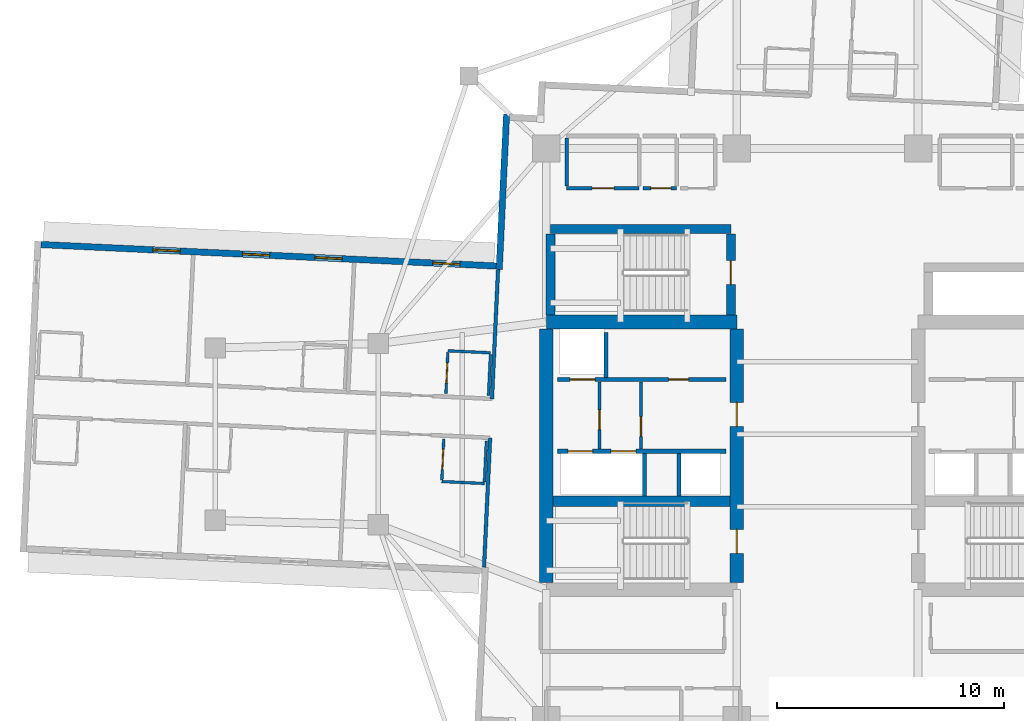
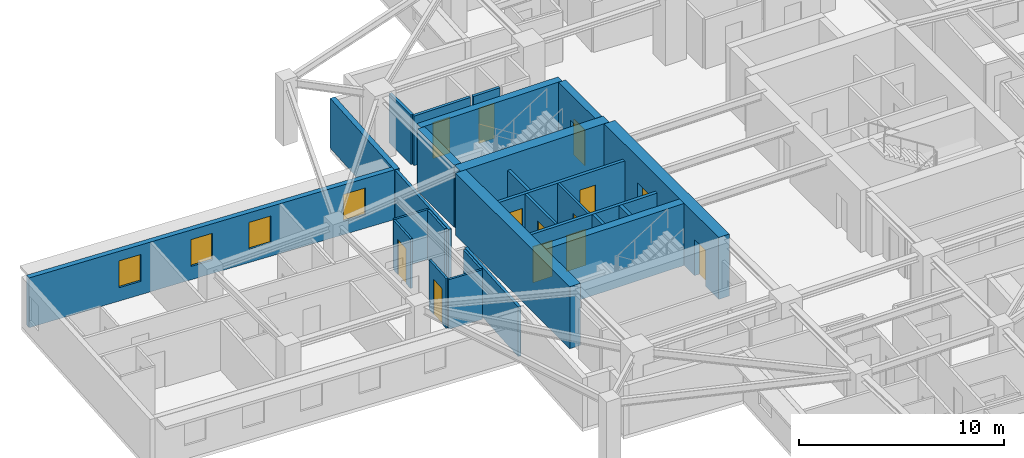
# One storey, part 6 of 14: 27 walls, 13 doors, 4 windows, 17 openings.
"""IFC4 building model written with IfcOpenShell, lengths in metres."""

from ifc_helpers import new_model, si_unit, direction, frame, frame_2d, origin, place, context, subcontext, project, spatial, rectangle, extrude, material, layer, layer_set, type_object, element, fill, save


model = new_model("IFC4")

# Units and contexts
model_context = context("Model", 3, precision=1e-05, world=origin(), true_north=direction((0.0, 1.0)))
body_context = subcontext(model_context, "Body", "Model", "MODEL_VIEW")
ifc_project = project(units=[si_unit("LENGTHUNIT", "METRE"), si_unit("AREAUNIT", "SQUARE_METRE"), si_unit("VOLUMEUNIT", "CUBIC_METRE"), si_unit("PLANEANGLEUNIT", "RADIAN"), si_unit("MASSUNIT", "GRAM", prefix="KILO")], contexts=[model_context])

# Site, building, storey
site_placement = place(None, origin())
site = spatial("IfcSite", under=ifc_project, at=site_placement, CompositionType="ELEMENT")
building_placement = place(site_placement, origin())
building = spatial("IfcBuilding", under=site, at=building_placement, Name="Qingluan Cross Belvedere", CompositionType="ELEMENT")
storey_placement = place(building_placement, frame((0.0, 0.0, 172.199951171875)))
storey = spatial("IfcBuildingStorey", under=building, at=storey_placement, Name="L43", CompositionType="ELEMENT", Elevation=172.199951171875)

# Walls
ifc_material_1 = material(Name="Concrete C50", Category="concrete")
ifc_layer_1 = layer(ifc_material_1, 0.449951171875, Name="CoreShearWall_450")
ifc_layer_set_1 = layer_set([ifc_layer_1], Name="Concrete C50")
wall_type_1 = type_object("IfcWallType", Name="CoreShearWall_450", PredefinedType="SHEAR", material=ifc_layer_set_1)
wall_1_placement = place(storey_placement, frame((-12.094970703125, -2.9599609375, 0.0), z_axis=(0.0, 0.0, 1.0), x_axis=(1.0, 0.0, 0.0)))
element("IfcWall", 1, at=wall_1_placement, inside=storey, type_object=wall_type_1, Name="Split core W shear wall L43-M", PredefinedType="SHEAR", context=body_context, shape_type="SweptSolid", body=[
    extrude(rectangle(XDim=7.7900390625, YDim=0.449951171875, at=frame_2d((3.89501953125, 0.0))), origin(), (0.0, 0.0, 1.0), 3.699951171875),
])
wall_2_placement = place(storey_placement, frame((-12.219970703125, 9.0400390625, 0.0), z_axis=(0.0, 0.0, 1.0), x_axis=(1.0, 0.0, 0.0)))
element("IfcWall", 2, at=wall_2_placement, inside=storey, type_object=wall_type_1, Name="Stair ST3 structural wall N L43", PredefinedType="SHEAR", context=body_context, shape_type="SweptSolid", body=[
    extrude(rectangle(XDim=7.9599609375, YDim=0.39990234375, at=frame_2d((3.97998046875, 0.0))), origin(), (0.0, 0.0, 1.0), 3.699951171875),
])
wall_3_placement = place(storey_placement, frame((-12.219970703125, 5.2548828125, 0.0), z_axis=(0.0, 0.0, 1.0), x_axis=(0.0, 1.0, 0.0)))
element("IfcWall", 3, at=wall_3_placement, inside=storey, type_object=wall_type_1, Name="Stair ST3 structural wall W L43", PredefinedType="SHEAR", context=body_context, shape_type="SweptSolid", body=[
    extrude(rectangle(XDim=3.580078125, YDim=0.39990234375, at=frame_2d((1.7900390625, 0.0))), origin(), (0.0, 0.0, 1.0), 3.699951171875),
])

# Wall, opening, door
wall_4_placement = place(storey_placement, frame((-4.260009765625, 5.2548828125, 0.0), z_axis=(0.0, 0.0, 1.0), x_axis=(0.0, 1.0, 0.0)))
wall_4 = element("IfcWall", 4, at=wall_4_placement, inside=storey, type_object=wall_type_1, Name="Stair ST3 structural wall E L43", PredefinedType="SHEAR", context=body_context, shape_type="SweptSolid", body=[
    extrude(rectangle(XDim=3.580078125, YDim=0.39990234375, at=frame_2d((1.7900390625, 0.0))), origin(), (0.0, 0.0, 1.0), 3.699951171875),
])
opening_1_placement = place(wall_4_placement, frame((1.344970703125, 0.0, 0.0)))
opening_1 = element("IfcOpeningElement", 5, at=opening_1_placement, cuts=wall_4, Name="Opening FD-B11", PredefinedType="OPENING", context=body_context, shape_type="SweptSolid", body=[
    extrude(rectangle(XDim=1.050048828125, YDim=2.14990234375, at=frame_2d((0.52490234375, 1.074951171875))), frame((0.0, 0.2099609375, 0.0), z_axis=(0.0, -1.0, 0.0), x_axis=(1.0, 0.0, 0.0)), (0.0, 0.0, 1.0), 0.419921875),
])
ifc_material_2 = material(Name="Steel Class B smoke-seal fire door", Category="steel")
door_type_1 = type_object("IfcDoorType", Name="StairLobbyFireDoor_FDB", OperationType="NOTDEFINED", PredefinedType="DOOR", material=ifc_material_2)
door_1_placement = place(opening_1_placement, origin())
door_1 = element("IfcDoor", 6, at=door_1_placement, inside=storey, type_object=door_type_1, Name="Smoke-proof stair ST3 fire door L43", OperationType="SINGLE_SWING_LEFT", OverallHeight=2.14990234375, OverallWidth=1.050048828125, PredefinedType="DOOR", context=body_context, shape_type="SweptSolid", body=[
    extrude(rectangle(XDim=1.050048828125, YDim=2.14990234375, at=frame_2d((0.52490234375, 1.074951171875))), frame((0.0, 0.02490234375, 0.0), z_axis=(0.0, -1.0, 0.0), x_axis=(1.0, 0.0, 0.0)), (0.0, 0.0, 1.0), 0.050048828125),
])
fill(opening_1, door_1)

# Walls
ifc_material_3 = material(Name="Concrete C60", Category="concrete")
ifc_layer_2 = layer(ifc_material_3, 0.60009765625, Name="CoreShearWall_600")
ifc_layer_set_2 = layer_set([ifc_layer_2], Name="Concrete C60")
wall_type_2 = type_object("IfcWallType", Name="CoreShearWall_600", PredefinedType="SHEAR", material=ifc_layer_set_2)
wall_5_placement = place(storey_placement, frame((-12.39990234375, 4.949951171875, 0.0), z_axis=(0.0, 0.0, 1.0), x_axis=(1.0, 0.0, 0.0)))
element("IfcWall", 7, at=wall_5_placement, inside=storey, type_object=wall_type_2, Name="Split core W shear wall L43-N", PredefinedType="SHEAR", context=body_context, shape_type="SweptSolid", body=[
    extrude(rectangle(XDim=8.39990234375, YDim=0.60009765625, at=frame_2d((4.199951171875, 0.0))), origin(), (0.0, 0.0, 1.0), 3.699951171875),
])
wall_6_placement = place(storey_placement, frame((-12.39990234375, -6.544921875, 0.0), z_axis=(0.0, 0.0, 1.0), x_axis=(0.0, 1.0, 0.0)))
element("IfcWall", 8, at=wall_6_placement, inside=storey, type_object=wall_type_2, Name="Split core W shear wall L43-W", PredefinedType="SHEAR", context=body_context, shape_type="SweptSolid", body=[
    extrude(rectangle(XDim=11.18994140625, YDim=0.60009765625, at=frame_2d((5.594970703125, 0.0))), origin(), (0.0, 0.0, 1.0), 3.699951171875),
])

# Wall, openings, doors
wall_7_placement = place(storey_placement, frame((-4.0, -6.544921875, 0.0), z_axis=(0.0, 0.0, 1.0), x_axis=(0.0, 1.0, 0.0)))
wall_7 = element("IfcWall", 9, at=wall_7_placement, inside=storey, type_object=wall_type_2, Name="Split core W shear wall L43-E", PredefinedType="SHEAR", context=body_context, shape_type="SweptSolid", body=[
    extrude(rectangle(XDim=11.18994140625, YDim=0.60009765625, at=frame_2d((5.594970703125, 0.0))), origin(), (0.0, 0.0, 1.0), 3.699951171875),
])
opening_2_placement = place(wall_7_placement, frame((1.294921875, 0.0, 0.0)))
opening_2 = element("IfcOpeningElement", 10, at=opening_2_placement, cuts=wall_7, Name="Opening FD-B11", PredefinedType="OPENING", context=body_context, shape_type="SweptSolid", body=[
    extrude(rectangle(XDim=1.050048828125, YDim=2.14990234375, at=frame_2d((0.52490234375, 1.074951171875))), frame((0.0, 0.31005859375, 0.0), z_axis=(0.0, -1.0, 0.0), x_axis=(1.0, 0.0, 0.0)), (0.0, 0.0, 1.0), 0.6201171875),
])
opening_3_placement = place(wall_7_placement, frame((6.89501953125, 0.0, 0.0)))
opening_3 = element("IfcOpeningElement", 11, at=opening_3_placement, cuts=wall_7, Name="Opening FD-B11", PredefinedType="OPENING", context=body_context, shape_type="SweptSolid", body=[
    extrude(rectangle(XDim=1.050048828125, YDim=2.14990234375, at=frame_2d((0.52490234375, 1.074951171875))), frame((0.0, 0.31005859375, 0.0), z_axis=(0.0, -1.0, 0.0), x_axis=(1.0, 0.0, 0.0)), (0.0, 0.0, 1.0), 0.6201171875),
])
door_2_placement = place(opening_2_placement, origin())
door_2 = element("IfcDoor", 12, at=door_2_placement, inside=storey, type_object=door_type_1, Name="Smoke-proof stair ST1 fire door L43", OperationType="SINGLE_SWING_LEFT", OverallHeight=2.14990234375, OverallWidth=1.050048828125, PredefinedType="DOOR", context=body_context, shape_type="SweptSolid", body=[
    extrude(rectangle(XDim=1.050048828125, YDim=2.14990234375, at=frame_2d((0.52490234375, 1.074951171875))), frame((0.0, 0.02490234375, 0.0), z_axis=(0.0, -1.0, 0.0), x_axis=(1.0, 0.0, 0.0)), (0.0, 0.0, 1.0), 0.050048828125),
])
fill(opening_2, door_2)
door_3_placement = place(opening_3_placement, origin())
door_3 = element("IfcDoor", 13, at=door_3_placement, inside=storey, type_object=door_type_1, Name="Firefighting lobby West fire door L43", OperationType="SINGLE_SWING_LEFT", OverallHeight=2.14990234375, OverallWidth=1.050048828125, PredefinedType="DOOR", context=body_context, shape_type="SweptSolid", body=[
    extrude(rectangle(XDim=1.050048828125, YDim=2.14990234375, at=frame_2d((0.52490234375, 1.074951171875))), frame((0.0, 0.02490234375, 0.0), z_axis=(0.0, -1.0, 0.0), x_axis=(1.0, 0.0, 0.0)), (0.0, 0.0, 1.0), 0.050048828125),
])
fill(opening_3, door_3)

# Wall, opening, door
ifc_material_4 = material(Name="Gypsum plasterboard on steel stud acoustic partition", Category="steel")
ifc_layer_3 = layer(ifc_material_4, 0.159912109375, Name="CorridorPartition_160")
ifc_layer_set_3 = layer_set([ifc_layer_3], Name="Gypsum plasterboard on steel stud acoustic partition")
wall_type_3 = type_object("IfcWallType", Name="CorridorPartition_160", PredefinedType="PARTITIONING", material=ifc_layer_set_3)
wall_8_placement = place(storey_placement, frame((-10.050048828125, -0.652099609375, 0.0), z_axis=(0.0, 0.0, 1.0), x_axis=(0.0, 1.0, 0.0)))
wall_8 = element("IfcWall", 14, at=wall_8_placement, inside=storey, type_object=wall_type_3, Name="Partition L43:wv", PredefinedType="PARTITIONING", context=body_context, shape_type="SweptSolid", body=[
    extrude(rectangle(XDim=2.962158203125, YDim=0.139892578125, at=frame_2d((1.48095703125, 0.0))), origin(), (0.0, 0.0, 1.0), 2.9599609375),
])
opening_4_placement = place(wall_8_placement, frame((0.85009765625, 0.0, 0.0)))
opening_4 = element("IfcOpeningElement", 15, at=opening_4_placement, cuts=wall_8, Name="Opening FD-B10", PredefinedType="OPENING", context=body_context, shape_type="SweptSolid", body=[
    extrude(rectangle(XDim=0.8798828125, YDim=2.10009765625, at=frame_2d((0.43994140625, 1.050048828125))), frame((0.0, 0.079833984375, 0.0), z_axis=(0.0, -1.0, 0.0), x_axis=(1.0, 0.0, 0.0)), (0.0, 0.0, 1.0), 0.159912109375),
])
ifc_material_5 = material(Name="Steel Class B service fire door", Category="steel")
door_type_2 = type_object("IfcDoorType", Name="RiserServiceFireDoor_FDB", OperationType="NOTDEFINED", PredefinedType="DOOR", material=ifc_material_5)
door_4_placement = place(opening_4_placement, origin())
door_4 = element("IfcDoor", 16, at=door_4_placement, inside=storey, type_object=door_type_2, Name="Service closet inner door L43", OperationType="SINGLE_SWING_RIGHT", OverallHeight=2.10009765625, OverallWidth=0.8798828125, PredefinedType="DOOR", context=body_context, shape_type="SweptSolid", body=[
    extrude(rectangle(XDim=0.8798828125, YDim=2.10009765625, at=frame_2d((0.43994140625, 1.050048828125))), frame((0.0, 0.02490234375, 0.0), z_axis=(0.0, -1.0, 0.0), x_axis=(1.0, 0.0, 0.0)), (0.0, 0.0, 1.0), 0.050048828125),
])
fill(opening_4, door_4)

wall_9_placement = place(storey_placement, frame((-11.5, 10.85009765625, 0.0), z_axis=(0.0, 0.0, 1.0), x_axis=(1.0, 0.0, 0.0)))
wall_9 = element("IfcWall", 17, at=wall_9_placement, inside=storey, type_object=wall_type_3, Name="Partition L43:q_nw_occ:S", PredefinedType="PARTITIONING", context=body_context, shape_type="SweptSolid", body=[
    extrude(rectangle(XDim=3.199951171875, YDim=0.159912109375, at=frame_2d((1.60009765625, 0.0))), origin(), (0.0, 0.0, 1.0), 2.9599609375),
])
opening_5_placement = place(wall_9_placement, frame((1.1201171875, 0.0, 0.0)))
opening_5 = element("IfcOpeningElement", 18, at=opening_5_placement, cuts=wall_9, Name="Opening GD-10", PredefinedType="OPENING", context=body_context, shape_type="SweptSolid", body=[
    extrude(rectangle(XDim=0.9599609375, YDim=2.14990234375, at=frame_2d((0.47998046875, 1.074951171875))), frame((0.0, 0.08984375, 0.0), z_axis=(0.0, -1.0, 0.0), x_axis=(1.0, 0.0, 0.0)), (0.0, 0.0, 1.0), 0.179931640625),
])
ifc_material_6 = material(Name="Timber oak fire-rated acoustic guestroom door", Category="wood")
door_type_3 = type_object("IfcDoorType", Name="GuestEntryDoor_FD60", OperationType="NOTDEFINED", PredefinedType="DOOR", material=ifc_material_6)
door_5_placement = place(opening_5_placement, origin())
door_5 = element("IfcDoor", 19, at=door_5_placement, inside=storey, type_object=door_type_3, Name="Northwest corner reading salon L43 door", OperationType="SINGLE_SWING_RIGHT", OverallHeight=2.14990234375, OverallWidth=0.9599609375, PredefinedType="DOOR", context=body_context, shape_type="SweptSolid", body=[
    extrude(rectangle(XDim=0.9599609375, YDim=2.14990234375, at=frame_2d((0.47998046875, 1.074951171875))), frame((0.0, 0.02490234375, 0.0), z_axis=(0.0, -1.0, 0.0), x_axis=(1.0, 0.0, 0.0)), (0.0, 0.0, 1.0), 0.050048828125),
])
fill(opening_5, door_5)

# Wall
wall_10_placement = place(storey_placement, frame((-11.5, 10.93505859375, 0.0), z_axis=(0.0, 0.0, 1.0), x_axis=(0.0, 1.0, 0.0)))
element("IfcWall", 20, at=wall_10_placement, inside=storey, type_object=wall_type_3, Name="Partition L43:q_nw_occ:W", PredefinedType="PARTITIONING", context=body_context, shape_type="SweptSolid", body=[
    extrude(rectangle(XDim=2.1298828125, YDim=0.159912109375, at=frame_2d((1.06494140625, 0.0))), origin(), (0.0, 0.0, 1.0), 2.9599609375),
])

# Wall, opening, door
wall_11_placement = place(storey_placement, frame((-8.139892578125, 10.85009765625, 0.0), z_axis=(0.0, 0.0, 1.0), x_axis=(1.0, 0.0, 0.0)))
wall_11 = element("IfcWall", 21, at=wall_11_placement, inside=storey, type_object=wall_type_3, Name="Partition L43:hk_linen:S", PredefinedType="PARTITIONING", context=body_context, shape_type="SweptSolid", body=[
    extrude(rectangle(XDim=1.489990234375, YDim=0.159912109375, at=frame_2d((0.7451171875, 0.0))), origin(), (0.0, 0.0, 1.0), 2.9599609375),
])
opening_6_placement = place(wall_11_placement, frame((0.35009765625, 0.0, 0.0)))
opening_6 = element("IfcOpeningElement", 22, at=opening_6_placement, cuts=wall_11, Name="Opening FD-B10", PredefinedType="OPENING", context=body_context, shape_type="SweptSolid", body=[
    extrude(rectangle(XDim=0.8798828125, YDim=2.10009765625, at=frame_2d((0.43994140625, 1.050048828125))), frame((0.0, 0.08984375, 0.0), z_axis=(0.0, -1.0, 0.0), x_axis=(1.0, 0.0, 0.0)), (0.0, 0.0, 1.0), 0.179931640625),
])
door_6_placement = place(opening_6_placement, origin())
door_6 = element("IfcDoor", 23, at=door_6_placement, inside=storey, type_object=door_type_2, Name="Housekeeping and linen store L43 door", OperationType="SINGLE_SWING_LEFT", OverallHeight=2.10009765625, OverallWidth=0.8798828125, PredefinedType="DOOR", context=body_context, shape_type="SweptSolid", body=[
    extrude(rectangle(XDim=0.8798828125, YDim=2.10009765625, at=frame_2d((0.43994140625, 1.050048828125))), frame((0.0, 0.02490234375, 0.0), z_axis=(0.0, -1.0, 0.0), x_axis=(1.0, 0.0, 0.0)), (0.0, 0.0, 1.0), 0.050048828125),
])
fill(opening_6, door_6)

# Walls
for number, where, z_axis, x_axis, name in (
    (24, (-14.79296875, 1.55859375, 0.0), (0.0, 0.0, 1.0), (0.047100122846, 0.998890173356, 0.0), "Partition L43:W:s0"),
    (25, (-14.8740234375, -0.159423828125, 0.0), (0.0, 0.0, 1.0), (-0.047100122846, -0.998890173356, 0.0), "Partition L43:W:s1"),
):
    element("IfcWall", number, at=place(storey_placement, frame(where, z_axis=z_axis, x_axis=x_axis)), inside=storey, type_object=wall_type_3, Name=name, PredefinedType="PARTITIONING", context=body_context, shape_type="SweptSolid", body=[
        extrude(rectangle(XDim=5.712158203125, YDim=0.159912109375, at=frame_2d((2.85595703125, 0.0))), origin(), (0.0, 0.0, 1.0), 2.9599609375),
    ])

# Wall, opening, door
ifc_material_7 = material(Name="Moisture-resistant gypsum board lining")
ifc_layer_4 = layer(ifc_material_7, 0.1201171875, Name="EnsuiteWetPartition_120")
ifc_layer_set_4 = layer_set([ifc_layer_4], Name="Moisture-resistant gypsum board lining")
wall_type_4 = type_object("IfcWallType", Name="EnsuiteWetPartition_120", PredefinedType="PARTITIONING", material=ifc_layer_set_4)
wall_12_placement = place(storey_placement, frame((-16.82421875, 1.79443359375, 0.0), z_axis=(0.0, 0.0, 1.0), x_axis=(0.047214641863, 0.998884766924, 0.0)))
wall_12 = element("IfcWall", 26, at=wall_12_placement, inside=storey, type_object=wall_type_4, Name="Partition L43:W:bs0_0", PredefinedType="PARTITIONING", context=body_context, shape_type="SweptSolid", body=[
    extrude(rectangle(XDim=1.820068359375, YDim=0.1201171875, at=frame_2d((0.91015625, 0.0))), origin(), (0.0, 0.0, 1.0), 2.9599609375),
])
opening_7_placement = place(wall_12_placement, frame((0.469970703125, 0.0, 0.0)))
opening_7 = element("IfcOpeningElement", 27, at=opening_7_placement, cuts=wall_12, Name="Opening BD-09", PredefinedType="OPENING", context=body_context, shape_type="SweptSolid", body=[
    extrude(rectangle(XDim=0.8798828125, YDim=2.10009765625, at=frame_2d((0.43994140625, 1.050048828125))), frame((0.0, 0.070068359375, 0.0), z_axis=(0.0, -1.0, 0.0), x_axis=(1.0, 0.0, 0.0)), (0.0, 0.0, 1.0), 0.14013671875),
])
ifc_material_8 = material(Name="Moisture-sealed timber en-suite door", Category="wood")
door_type_4 = type_object("IfcDoorType", Name="BathroomDoor_880", OperationType="NOTDEFINED", PredefinedType="DOOR", material=ifc_material_8)
door_7_placement = place(opening_7_placement, origin())
door_7 = element("IfcDoor", 28, at=door_7_placement, inside=storey, type_object=door_type_4, Name="Bathroom door 4305", OperationType="SINGLE_SWING_LEFT", OverallHeight=2.10009765625, OverallWidth=0.8798828125, PredefinedType="DOOR", context=body_context, shape_type="SweptSolid", body=[
    extrude(rectangle(XDim=0.8798828125, YDim=2.10009765625, at=frame_2d((0.43994140625, 1.050048828125))), frame((0.0, 0.02490234375, 0.0), z_axis=(0.0, -1.0, 0.0), x_axis=(1.0, 0.0, 0.0)), (0.0, 0.0, 1.0), 0.050048828125),
])
fill(opening_7, door_7)

# Walls
wall_13_placement = place(storey_placement, frame((-14.9462890625, 1.7060546875, 0.0), z_axis=(0.0, 0.0, 1.0), x_axis=(0.047087116047, 0.998890786574, 0.0)))
element("IfcWall", 29, at=wall_13_placement, inside=storey, type_object=wall_type_4, Name="Partition L43:W:bw0_0", PredefinedType="PARTITIONING", context=body_context, shape_type="SweptSolid", body=[
    extrude(rectangle(XDim=1.81982421875, YDim=0.1201171875, at=frame_2d((0.909912109375, 0.0))), origin(), (0.0, 0.0, 1.0), 2.9599609375),
])
wall_14_placement = place(storey_placement, frame((-14.857421875, 3.5888671875, 0.0), z_axis=(0.0, 0.0, 1.0), x_axis=(-0.998888319371, 0.047139425368, 0.0)))
element("IfcWall", 30, at=wall_14_placement, inside=storey, type_object=wall_type_4, Name="Partition L43:W:bn0_0", PredefinedType="PARTITIONING", context=body_context, shape_type="SweptSolid", body=[
    extrude(rectangle(XDim=1.880126953125, YDim=0.1201171875, at=frame_2d((0.93994140625, 0.0))), origin(), (0.0, 0.0, 1.0), 2.9599609375),
])

# Wall, opening, door
wall_15_placement = place(storey_placement, frame((-17.004150390625, -2.021240234375, 0.0), z_axis=(0.0, 0.0, 1.0), x_axis=(0.047087116047, 0.998890786574, 0.0)))
wall_15 = element("IfcWall", 31, at=wall_15_placement, inside=storey, type_object=wall_type_4, Name="Partition L43:W:bs1_0", PredefinedType="PARTITIONING", context=body_context, shape_type="SweptSolid", body=[
    extrude(rectangle(XDim=1.81982421875, YDim=0.1201171875, at=frame_2d((0.909912109375, 0.0))), origin(), (0.0, 0.0, 1.0), 2.9599609375),
])
opening_8_placement = place(wall_15_placement, frame((0.469970703125, 0.0, 0.0)))
opening_8 = element("IfcOpeningElement", 32, at=opening_8_placement, cuts=wall_15, Name="Opening BD-09", PredefinedType="OPENING", context=body_context, shape_type="SweptSolid", body=[
    extrude(rectangle(XDim=0.8798828125, YDim=2.10009765625, at=frame_2d((0.43994140625, 1.050048828125))), frame((0.0, 0.070068359375, 0.0), z_axis=(0.0, -1.0, 0.0), x_axis=(1.0, 0.0, 0.0)), (0.0, 0.0, 1.0), 0.14013671875),
])
door_8_placement = place(opening_8_placement, origin())
door_8 = element("IfcDoor", 33, at=door_8_placement, inside=storey, type_object=door_type_4, Name="Bathroom door 4308", OperationType="SINGLE_SWING_LEFT", OverallHeight=2.10009765625, OverallWidth=0.8798828125, PredefinedType="DOOR", context=body_context, shape_type="SweptSolid", body=[
    extrude(rectangle(XDim=0.8798828125, YDim=2.10009765625, at=frame_2d((0.43994140625, 1.050048828125))), frame((0.0, 0.02490234375, 0.0), z_axis=(0.0, -1.0, 0.0), x_axis=(1.0, 0.0, 0.0)), (0.0, 0.0, 1.0), 0.050048828125),
])
fill(opening_8, door_8)

# Walls
wall_16_placement = place(storey_placement, frame((-15.126220703125, -2.10986328125, 0.0), z_axis=(0.0, 0.0, 1.0), x_axis=(0.047214641863, 0.998884766924, 0.0)))
element("IfcWall", 34, at=wall_16_placement, inside=storey, type_object=wall_type_4, Name="Partition L43:W:bw1_0", PredefinedType="PARTITIONING", context=body_context, shape_type="SweptSolid", body=[
    extrude(rectangle(XDim=1.820068359375, YDim=0.1201171875, at=frame_2d((0.91015625, 0.0))), origin(), (0.0, 0.0, 1.0), 2.9599609375),
])
wall_17_placement = place(storey_placement, frame((-15.129150390625, -2.1748046875, 0.0), z_axis=(0.0, 0.0, 1.0), x_axis=(-0.998888319371, 0.047139425368, 0.0)))
element("IfcWall", 35, at=wall_17_placement, inside=storey, type_object=wall_type_4, Name="Partition L43:W:bc1_0", PredefinedType="PARTITIONING", context=body_context, shape_type="SweptSolid", body=[
    extrude(rectangle(XDim=1.880126953125, YDim=0.1201171875, at=frame_2d((0.93994140625, 0.0))), origin(), (0.0, 0.0, 1.0), 2.9599609375),
])

# Wall, openings, windows
ifc_material_9 = material(Name="Precast concrete C45", Category="concrete")
ifc_layer_5 = layer(ifc_material_9, 0.280029296875, Name="PrecastFacadeWall_280")
ifc_layer_set_5 = layer_set([ifc_layer_5], Name="Precast concrete C45")
wall_type_5 = type_object("IfcWallType", Name="PrecastFacadeWall_280", PredefinedType="STANDARD", material=ifc_layer_set_5)
wall_18_placement = place(storey_placement, frame((-14.60693359375, 7.416259765625, 0.0), z_axis=(0.0, 0.0, 1.0), x_axis=(-0.998890015344, 0.047103473814, 0.0)))
wall_18 = element("IfcWall", 36, at=wall_18_placement, inside=storey, type_object=wall_type_5, Name="Facade wall L43-WA", PredefinedType="STANDARD", context=body_context, shape_type="SweptSolid", body=[
    extrude(rectangle(XDim=20.099853515625, YDim=0.280029296875, at=frame_2d((10.0498046875, 0.0))), origin(), (0.0, 0.0, 1.0), 2.969970703125),
])
opening_9_placement = place(wall_18_placement, frame((1.60009765625, 0.0, 0.800048828125)))
opening_9 = element("IfcOpeningElement", 37, at=opening_9_placement, cuts=wall_18, Name="Opening W-02", PredefinedType="OPENING", context=body_context, shape_type="SweptSolid", body=[
    extrude(rectangle(XDim=1.199951171875, YDim=1.60009765625, at=frame_2d((0.60009765625, 0.800048828125))), frame((0.0, 0.14990234375, 0.0), z_axis=(0.0, -1.0, 0.0), x_axis=(1.0, 0.0, 0.0)), (0.0, 0.0, 1.0), 0.300048828125),
])
opening_10_placement = place(wall_18_placement, frame((6.800048828125, 0.0, 0.800048828125)))
opening_10 = element("IfcOpeningElement", 38, at=opening_10_placement, cuts=wall_18, Name="Opening W-02", PredefinedType="OPENING", context=body_context, shape_type="SweptSolid", body=[
    extrude(rectangle(XDim=1.199951171875, YDim=1.60009765625, at=frame_2d((0.60009765625, 0.800048828125))), frame((0.0, 0.14990234375, 0.0), z_axis=(0.0, -1.0, 0.0), x_axis=(1.0, 0.0, 0.0)), (0.0, 0.0, 1.0), 0.300048828125),
])
opening_11_placement = place(wall_18_placement, frame((10.0, 0.0, 0.800048828125)))
opening_11 = element("IfcOpeningElement", 39, at=opening_11_placement, cuts=wall_18, Name="Opening W-02", PredefinedType="OPENING", context=body_context, shape_type="SweptSolid", body=[
    extrude(rectangle(XDim=1.199951171875, YDim=1.60009765625, at=frame_2d((0.60009765625, 0.800048828125))), frame((0.0, 0.14990234375, 0.0), z_axis=(0.0, -1.0, 0.0), x_axis=(1.0, 0.0, 0.0)), (0.0, 0.0, 1.0), 0.300048828125),
])
opening_12_placement = place(wall_18_placement, frame((13.949951171875, 0.0, 0.800048828125)))
opening_12 = element("IfcOpeningElement", 40, at=opening_12_placement, cuts=wall_18, Name="Opening W-02", PredefinedType="OPENING", context=body_context, shape_type="SweptSolid", body=[
    extrude(rectangle(XDim=1.199951171875, YDim=1.60009765625, at=frame_2d((0.60009765625, 0.800048828125))), frame((0.0, 0.14990234375, 0.0), z_axis=(0.0, -1.0, 0.0), x_axis=(1.0, 0.0, 0.0)), (0.0, 0.0, 1.0), 0.300048828125),
])
ifc_material_10 = material(Name="Thermally broken triple Low-E glass in aluminium frame", Category="aluminium")
window_type = type_object("IfcWindowType", Name="TriRibbonWin_1200x1600", PartitioningType="SINGLE_PANEL", PredefinedType="WINDOW", material=ifc_material_10)
window_1_placement = place(opening_9_placement, origin())
window_1 = element("IfcWindow", 41, at=window_1_placement, inside=storey, type_object=window_type, Name="Ribbon window L43-WA-1", OverallHeight=1.60009765625, OverallWidth=1.199951171875, PartitioningType="SINGLE_PANEL", PredefinedType="WINDOW", context=body_context, shape_type="SweptSolid", body=[
    extrude(rectangle(XDim=1.199951171875, YDim=1.60009765625, at=frame_2d((0.60009765625, 0.800048828125))), frame((0.0, 0.030029296875, 0.0), z_axis=(0.0, -1.0, 0.0), x_axis=(1.0, 0.0, 0.0)), (0.0, 0.0, 1.0), 0.06005859375),
])
fill(opening_9, window_1)
window_2_placement = place(opening_10_placement, origin())
window_2 = element("IfcWindow", 42, at=window_2_placement, inside=storey, type_object=window_type, Name="Ribbon window L43-WA-2", OverallHeight=1.60009765625, OverallWidth=1.199951171875, PartitioningType="SINGLE_PANEL", PredefinedType="WINDOW", context=body_context, shape_type="SweptSolid", body=[
    extrude(rectangle(XDim=1.199951171875, YDim=1.60009765625, at=frame_2d((0.60009765625, 0.800048828125))), frame((0.0, 0.030029296875, 0.0), z_axis=(0.0, -1.0, 0.0), x_axis=(1.0, 0.0, 0.0)), (0.0, 0.0, 1.0), 0.06005859375),
])
fill(opening_10, window_2)
window_3_placement = place(opening_11_placement, origin())
window_3 = element("IfcWindow", 43, at=window_3_placement, inside=storey, type_object=window_type, Name="Ribbon window L43-WA-3", OverallHeight=1.60009765625, OverallWidth=1.199951171875, PartitioningType="SINGLE_PANEL", PredefinedType="WINDOW", context=body_context, shape_type="SweptSolid", body=[
    extrude(rectangle(XDim=1.199951171875, YDim=1.60009765625, at=frame_2d((0.60009765625, 0.800048828125))), frame((0.0, 0.030029296875, 0.0), z_axis=(0.0, -1.0, 0.0), x_axis=(1.0, 0.0, 0.0)), (0.0, 0.0, 1.0), 0.06005859375),
])
fill(opening_11, window_3)
window_4_placement = place(opening_12_placement, origin())
window_4 = element("IfcWindow", 44, at=window_4_placement, inside=storey, type_object=window_type, Name="Ribbon window L43-WA-4", OverallHeight=1.60009765625, OverallWidth=1.199951171875, PartitioningType="SINGLE_PANEL", PredefinedType="WINDOW", context=body_context, shape_type="SweptSolid", body=[
    extrude(rectangle(XDim=1.199951171875, YDim=1.60009765625, at=frame_2d((0.60009765625, 0.800048828125))), frame((0.0, 0.030029296875, 0.0), z_axis=(0.0, -1.0, 0.0), x_axis=(1.0, 0.0, 0.0)), (0.0, 0.0, 1.0), 0.06005859375),
])
fill(opening_12, window_4)

# Wall
wall_19_placement = place(storey_placement, frame((-14.4736328125, 7.27001953125, 0.0), z_axis=(0.0, 0.0, 1.0), x_axis=(0.04712043756, 0.998889215261, 0.0)))
element("IfcWall", 45, at=wall_19_placement, inside=storey, type_object=wall_type_5, Name="Corner wall L43-NW1", PredefinedType="STANDARD", context=body_context, shape_type="SweptSolid", body=[
    extrude(rectangle(XDim=6.85986328125, YDim=0.280029296875, at=frame_2d((3.429931640625, 0.0))), origin(), (0.0, 0.0, 1.0), 2.969970703125),
])

# Wall, openings, doors
ifc_material_11 = material(Name="Concrete C40", Category="concrete")
ifc_layer_6 = layer(ifc_material_11, 0.219970703125, Name="ShaftEnclosureWall_250")
ifc_layer_set_6 = layer_set([ifc_layer_6], Name="Concrete C40")
wall_type_6 = type_object("IfcWallType", Name="ShaftEnclosureWall_250", PredefinedType="SOLIDWALL", material=ifc_layer_set_6)
wall_20_placement = place(storey_placement, frame((-11.89990234375, 2.409912109375, 0.0), z_axis=(0.0, 0.0, 1.0), x_axis=(1.0, 0.0, 0.0)))
wall_20 = element("IfcWall", 46, at=wall_20_placement, inside=storey, type_object=wall_type_6, Name="Core-W north hoistway wall L43", PredefinedType="SOLIDWALL", context=body_context, shape_type="SweptSolid", body=[
    extrude(rectangle(XDim=7.419921875, YDim=0.179931640625, at=frame_2d((3.7099609375, 0.0))), origin(), (0.0, 0.0, 1.0), 2.9599609375),
])
opening_13_placement = place(wall_20_placement, frame((0.550048828125, 0.0, 0.0)))
opening_13 = element("IfcOpeningElement", 47, at=opening_13_placement, cuts=wall_20, Name="Opening LD-11", PredefinedType="OPENING", context=body_context, shape_type="SweptSolid", body=[
    extrude(rectangle(XDim=1.10009765625, YDim=2.14990234375, at=frame_2d((0.550048828125, 1.074951171875))), frame((0.0, 0.099853515625, 0.0), z_axis=(0.0, -1.0, 0.0), x_axis=(1.0, 0.0, 0.0)), (0.0, 0.0, 1.0), 0.199951171875),
])
opening_14_placement = place(wall_20_placement, frame((4.89990234375, 0.0, 0.0)))
opening_14 = element("IfcOpeningElement", 48, at=opening_14_placement, cuts=wall_20, Name="Opening FD-B10", PredefinedType="OPENING", context=body_context, shape_type="SweptSolid", body=[
    extrude(rectangle(XDim=0.8798828125, YDim=2.10009765625, at=frame_2d((0.43994140625, 1.050048828125))), frame((0.0, 0.099853515625, 0.0), z_axis=(0.0, -1.0, 0.0), x_axis=(1.0, 0.0, 0.0)), (0.0, 0.0, 1.0), 0.199951171875),
])
ifc_material_12 = material(Name="Brushed stainless steel centre-opening lift landing door", Category="steel")
door_type_5 = type_object("IfcDoorType", Name="LiftLandingSlidingDoor_1100", OperationType="DOUBLE_DOOR_SLIDING", PredefinedType="DOOR", material=ifc_material_12)
door_9_placement = place(opening_13_placement, origin())
door_9 = element("IfcDoor", 49, at=door_9_placement, inside=storey, type_object=door_type_5, Name="Lift landing sliding door FL1 L43", OperationType="DOUBLE_DOOR_SLIDING", OverallHeight=2.14990234375, OverallWidth=1.10009765625, PredefinedType="DOOR", context=body_context, shape_type="SweptSolid", body=[
    extrude(rectangle(XDim=1.10009765625, YDim=2.14990234375, at=frame_2d((0.550048828125, 1.074951171875))), frame((0.0, 0.02490234375, 0.0), z_axis=(0.0, -1.0, 0.0), x_axis=(1.0, 0.0, 0.0)), (0.0, 0.0, 1.0), 0.050048828125),
])
fill(opening_13, door_9)
door_10_placement = place(opening_14_placement, origin())
door_10 = element("IfcDoor", 50, at=door_10_placement, inside=storey, type_object=door_type_2, Name="Housekeeping supply room door W L43", OperationType="SINGLE_SWING_RIGHT", OverallHeight=2.10009765625, OverallWidth=0.8798828125, PredefinedType="DOOR", context=body_context, shape_type="SweptSolid", body=[
    extrude(rectangle(XDim=0.8798828125, YDim=2.10009765625, at=frame_2d((0.43994140625, 1.050048828125))), frame((0.0, 0.02490234375, 0.0), z_axis=(0.0, -1.0, 0.0), x_axis=(1.0, 0.0, 0.0)), (0.0, 0.0, 1.0), 0.050048828125),
])
fill(opening_14, door_10)

wall_21_placement = place(storey_placement, frame((-11.89990234375, -0.75, 0.0), z_axis=(0.0, 0.0, 1.0), x_axis=(1.0, 0.0, 0.0)))
wall_21 = element("IfcWall", 51, at=wall_21_placement, inside=storey, type_object=wall_type_6, Name="Core-W mid hoistway wall L43", PredefinedType="SOLIDWALL", context=body_context, shape_type="SweptSolid", body=[
    extrude(rectangle(XDim=7.419921875, YDim=0.179931640625, at=frame_2d((3.7099609375, 0.0))), origin(), (0.0, 0.0, 1.0), 2.9599609375),
])
opening_15_placement = place(wall_21_placement, frame((0.449951171875, 0.0, 0.0)))
opening_15 = element("IfcOpeningElement", 52, at=opening_15_placement, cuts=wall_21, Name="Opening LD-11", PredefinedType="OPENING", context=body_context, shape_type="SweptSolid", body=[
    extrude(rectangle(XDim=1.10009765625, YDim=2.14990234375, at=frame_2d((0.550048828125, 1.074951171875))), frame((0.0, 0.099853515625, 0.0), z_axis=(0.0, -1.0, 0.0), x_axis=(1.0, 0.0, 0.0)), (0.0, 0.0, 1.0), 0.199951171875),
])
opening_16_placement = place(wall_21_placement, frame((2.35009765625, 0.0, 0.0)))
opening_16 = element("IfcOpeningElement", 53, at=opening_16_placement, cuts=wall_21, Name="Opening LD-11", PredefinedType="OPENING", context=body_context, shape_type="SweptSolid", body=[
    extrude(rectangle(XDim=1.10009765625, YDim=2.14990234375, at=frame_2d((0.550048828125, 1.074951171875))), frame((0.0, 0.099853515625, 0.0), z_axis=(0.0, -1.0, 0.0), x_axis=(1.0, 0.0, 0.0)), (0.0, 0.0, 1.0), 0.199951171875),
])
door_11_placement = place(opening_15_placement, origin())
door_11 = element("IfcDoor", 54, at=door_11_placement, inside=storey, type_object=door_type_5, Name="Lift landing sliding door LP5 L43", OperationType="DOUBLE_DOOR_SLIDING", OverallHeight=2.14990234375, OverallWidth=1.10009765625, PredefinedType="DOOR", context=body_context, shape_type="SweptSolid", body=[
    extrude(rectangle(XDim=1.10009765625, YDim=2.14990234375, at=frame_2d((0.550048828125, 1.074951171875))), frame((0.0, 0.02490234375, 0.0), z_axis=(0.0, -1.0, 0.0), x_axis=(1.0, 0.0, 0.0)), (0.0, 0.0, 1.0), 0.050048828125),
])
fill(opening_15, door_11)
door_12_placement = place(opening_16_placement, origin())
door_12 = element("IfcDoor", 55, at=door_12_placement, inside=storey, type_object=door_type_5, Name="Lift landing sliding door LP6 L43", OperationType="DOUBLE_DOOR_SLIDING", OverallHeight=2.14990234375, OverallWidth=1.10009765625, PredefinedType="DOOR", context=body_context, shape_type="SweptSolid", body=[
    extrude(rectangle(XDim=1.10009765625, YDim=2.14990234375, at=frame_2d((0.550048828125, 1.074951171875))), frame((0.0, 0.02490234375, 0.0), z_axis=(0.0, -1.0, 0.0), x_axis=(1.0, 0.0, 0.0)), (0.0, 0.0, 1.0), 0.050048828125),
])
fill(opening_16, door_12)

# Walls
wall_22_placement = place(storey_placement, frame((-9.760009765625, 2.5, 0.0), z_axis=(0.0, 0.0, 1.0), x_axis=(0.0, 1.0, 0.0)))
element("IfcWall", 56, at=wall_22_placement, inside=storey, type_object=wall_type_6, Name="Hoistway enclosure divider FL1E L43", PredefinedType="SOLIDWALL", context=body_context, shape_type="SweptSolid", body=[
    extrude(rectangle(XDim=1.989990234375, YDim=0.179931640625, at=frame_2d((0.9951171875, 0.0))), origin(), (0.0, 0.0, 1.0), 2.9599609375),
])
for number, where, z_axis, x_axis, name in (
    (57, (-8.06005859375, -2.72998046875, 0.0), (0.0, 0.0, 1.0), (0.0, 1.0, 0.0), "Hoistway enclosure divider LP6E L43"),
    (58, (-6.5400390625, -2.72998046875, 0.0), (0.0, 0.0, 1.0), (0.0, 1.0, 0.0), "Hoistway enclosure divider LP8W L43"),
):
    element("IfcWall", number, at=place(storey_placement, frame(where, z_axis=z_axis, x_axis=x_axis)), inside=storey, type_object=wall_type_6, Name=name, PredefinedType="SOLIDWALL", context=body_context, shape_type="SweptSolid", body=[
        extrude(rectangle(XDim=1.889892578125, YDim=0.179931640625, at=frame_2d((0.94482421875, 0.0))), origin(), (0.0, 0.0, 1.0), 2.9599609375),
    ])

# Wall, opening, door
wall_23_placement = place(storey_placement, frame((-8.219970703125, -0.64990234375, 0.0), z_axis=(0.0, 0.0, 1.0), x_axis=(0.0, 1.0, 0.0)))
wall_23 = element("IfcWall", 59, at=wall_23_placement, inside=storey, type_object=wall_type_6, Name="Core-W service corridor wall L43", PredefinedType="SOLIDWALL", context=body_context, shape_type="SweptSolid", body=[
    extrude(rectangle(XDim=2.9599609375, YDim=0.139892578125, at=frame_2d((1.47998046875, 0.0))), origin(), (0.0, 0.0, 1.0), 2.9599609375),
])
opening_17_placement = place(wall_23_placement, frame((0.550048828125, 0.0, 0.0)))
opening_17 = element("IfcOpeningElement", 60, at=opening_17_placement, cuts=wall_23, Name="Opening FD-B10", PredefinedType="OPENING", context=body_context, shape_type="SweptSolid", body=[
    extrude(rectangle(XDim=0.8798828125, YDim=2.10009765625, at=frame_2d((0.43994140625, 1.050048828125))), frame((0.0, 0.079833984375, 0.0), z_axis=(0.0, -1.0, 0.0), x_axis=(1.0, 0.0, 0.0)), (0.0, 0.0, 1.0), 0.159912109375),
])
door_13_placement = place(opening_17_placement, origin())
door_13 = element("IfcDoor", 61, at=door_13_placement, inside=storey, type_object=door_type_2, Name="Core-W service room door L43", OperationType="SINGLE_SWING_RIGHT", OverallHeight=2.10009765625, OverallWidth=0.8798828125, PredefinedType="DOOR", context=body_context, shape_type="SweptSolid", body=[
    extrude(rectangle(XDim=0.8798828125, YDim=2.10009765625, at=frame_2d((0.43994140625, 1.050048828125))), frame((0.0, 0.02490234375, 0.0), z_axis=(0.0, -1.0, 0.0), x_axis=(1.0, 0.0, 0.0)), (0.0, 0.0, 1.0), 0.050048828125),
])
fill(opening_17, door_13)

save(model, "model.ifc")
